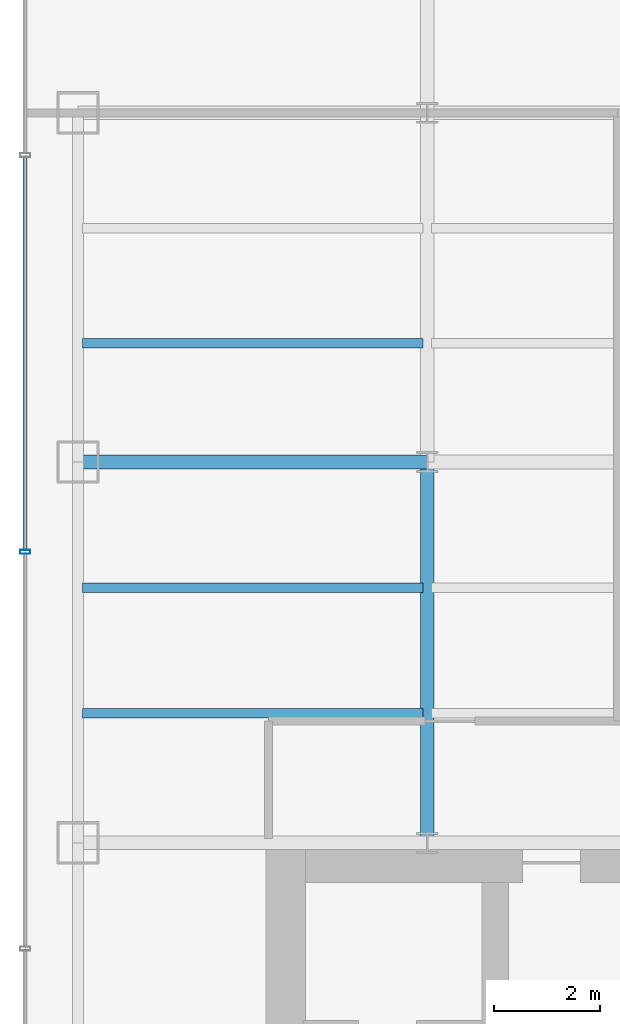
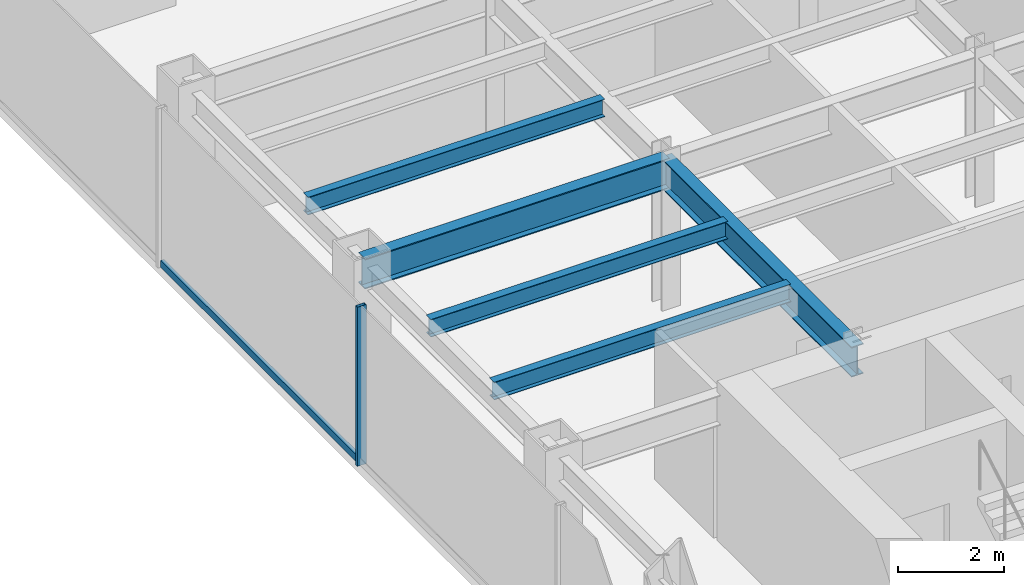
# One storey, part 4 of 26: 5 beams, 2 members, 1 element without a shape of its own.
"""IFC4 building model written with IfcOpenShell, lengths in metres."""

from ifc_helpers import new_model, si_unit, derived_unit, direction, frame, origin, origin_2d, place, context, subcontext, project, spatial, hollow_rectangle, i_section, extrude, source, transform, mapped, material, material_profile, profile_set, type_object, element, aggregate, save


model = new_model("IFC4")

# Units and contexts
model_context = context("Model", 3, precision=1e-05, world=origin(), true_north=direction((0.0, 1.0)))
body_context = subcontext(model_context, "Body", "Model", "MODEL_VIEW")
ifc_project = project(units=[si_unit("LENGTHUNIT", "METRE"), si_unit("AREAUNIT", "SQUARE_METRE"), si_unit("VOLUMEUNIT", "CUBIC_METRE"), si_unit("PLANEANGLEUNIT", "RADIAN"), si_unit("MASSUNIT", "GRAM", prefix="KILO"), derived_unit("THERMALTRANSMITTANCEUNIT", [(si_unit("POWERUNIT", "WATT"), 1), (si_unit("LENGTHUNIT", "METRE"), -2), (si_unit("THERMODYNAMICTEMPERATUREUNIT", "KELVIN"), -1)])], contexts=[model_context])

# Site, building, storey
site_placement = place(None, origin())
site = spatial("IfcSite", under=ifc_project, at=site_placement, CompositionType="ELEMENT")
building_placement = place(site_placement, origin())
building = spatial("IfcBuilding", under=site, at=building_placement, Name="Skarnbrae Concourse Arena and Tower", CompositionType="ELEMENT")
storey_placement = place(building_placement, frame((0.0, 0.0, 128.800048828125)))
storey = spatial("IfcBuildingStorey", under=building, at=storey_placement, Name="L32", CompositionType="ELEMENT", Elevation=128.800048828125)

# Beams
ifc_material_1 = material(Name="Steel CSA G40.21 350W", Category="steel")
ifc_material_profile_1 = material_profile(ifc_material_1, i_section(OverallWidth=0.256103515625, OverallDepth=0.693115234375, WebThickness=0.014404296875, FlangeThickness=0.023681640625, at=origin_2d()), Name="W690X170")
ifc_profile_set_1 = profile_set([ifc_material_profile_1], Name="Steel CSA G40.21 350W")
beam_type_1 = type_object("IfcBeamType", Name="BM-GIRD-W690X170", PredefinedType="BEAM", material=ifc_profile_set_1)
shared_shape_1 = source(origin(), body_context, "Body", "SweptSolid", [
    extrude(i_section(OverallWidth=0.256103515625, OverallDepth=0.693115234375, WebThickness=0.014404296875, FlangeThickness=0.023681640625, at=origin_2d()), origin(), (0.0, 0.0, 1.0), 6.60009765625),
])
beam_1_placement = place(storey_placement, frame((1.0, 21.199951171875, 3.053466796875), z_axis=(1.0, 0.0, 0.0), x_axis=(0.0, 1.0, 0.0)))
element("IfcBeam", 1, at=beam_1_placement, inside=storey, type_object=beam_type_1, Name="L32 Primary E-W girder Y21.2-1", PredefinedType="BEAM", context=body_context, shape_type="MappedRepresentation", body=[
    mapped(shared_shape_1, transform((0.0, 0.0, 0.0))),
])
shared_shape_2 = source(origin(), body_context, "Body", "SweptSolid", [
    extrude(i_section(OverallWidth=0.256103515625, OverallDepth=0.693115234375, WebThickness=0.014404296875, FlangeThickness=0.023681640625, at=origin_2d()), origin(), (0.0, 0.0, 1.0), 7.199951171875),
])
beam_2_placement = place(storey_placement, frame((7.60009765625, 14.0, 3.053466796875), z_axis=(0.0, 1.0, 0.0), x_axis=(-1.0, 0.0, 0.0)))
element("IfcBeam", 2, at=beam_2_placement, inside=storey, type_object=beam_type_1, Name="L32 Primary N-S girder X7.6-1", PredefinedType="BEAM", context=body_context, shape_type="MappedRepresentation", body=[
    mapped(shared_shape_2, transform((0.0, 0.0, 0.0))),
])
ifc_material_profile_2 = material_profile(ifc_material_1, i_section(OverallWidth=0.177978515625, OverallDepth=0.406982421875, WebThickness=0.0078125, FlangeThickness=0.0126953125, at=origin_2d()), Name="W410X60")
ifc_profile_set_2 = profile_set([ifc_material_profile_2], Name="Steel CSA G40.21 350W")
beam_type_2 = type_object("IfcBeamType", Name="BM-JOIST-W410X60", PredefinedType="JOIST", material=ifc_profile_set_2)
shared_shape_3 = source(origin(), body_context, "Body", "SweptSolid", [
    extrude(i_section(OverallWidth=0.177978515625, OverallDepth=0.406982421875, WebThickness=0.0078125, FlangeThickness=0.0126953125, at=origin_2d()), origin(), (0.0, 0.0, 1.0), 6.43994140625),
])
for number, where, z_axis, x_axis, name in (
    (3, (1.080078125, 16.447998046875, 3.196533203125), (1.0, 0.0, 0.0), (0.0, 1.0, 0.0), "L32 Secondary floor joist 1.1.1"),
    (4, (1.080078125, 18.823974609375, 3.196533203125), (1.0, 0.0, 0.0), (0.0, 1.0, 0.0), "L32 Secondary floor joist 1.2.1"),
    (5, (1.080078125, 23.444091796875, 3.196533203125), (1.0, 0.0, 0.0), (0.0, 1.0, 0.0), "L32 Secondary floor joist 2.1.1"),
):
    element("IfcBeam", number, at=place(storey_placement, frame(where, z_axis=z_axis, x_axis=x_axis)), inside=storey, type_object=beam_type_2, Name=name, PredefinedType="JOIST", context=body_context, shape_type="MappedRepresentation", body=[
        mapped(shared_shape_3, transform((0.0, 0.0, 0.0))),
    ])

# Curtain wall, members
ifc_material_2 = material(Name="Bronze anodised aluminium 6063-T6", Category="aluminium")
curtain_wall_type = type_object("IfcCurtainWallType", Name="CW-SYS-04-MIDZONE", PredefinedType="USERDEFINED", material=ifc_material_2)
curtain_wall_placement = place(storey_placement, origin())
curtain_wall = element("IfcCurtainWall", 6, at=curtain_wall_placement, inside=storey, type_object=curtain_wall_type, Name="L32 Unitised curtain wall CW-L32-E19", ObjectType="UNITISED CURTAIN WALL", PredefinedType="USERDEFINED")
ifc_material_profile_3 = material_profile(ifc_material_2, hollow_rectangle(XDim=0.074951171875, YDim=0.159912109375, WallThickness=0.00439453125, at=origin_2d()), Name="ALU-TRAN-75X160")
ifc_profile_set_3 = profile_set([ifc_material_profile_3], Name="Bronze anodised aluminium 6063-T6")
member_type_1 = type_object("IfcMemberType", Name="CWT-CW-04", PredefinedType="USERDEFINED", material=ifc_profile_set_3)
shared_shape_4 = source(origin(), body_context, "Body", "SweptSolid", [
    extrude(hollow_rectangle(XDim=0.074951171875, YDim=0.159912109375, WallThickness=0.00439453125, at=origin_2d()), origin(), (0.0, 0.0, 1.0), 7.4248046875),
])
member_1_placement = place(storey_placement, frame((0.0, 26.96240234375, 0.079833984375), z_axis=(0.0, -1.0, 0.0), x_axis=(1.0, 0.0, 0.0)))
member_1 = element("IfcMember", 7, at=member_1_placement, type_object=member_type_1, Name="CW-L32-E19 Transom 2", ObjectType="TRANSOM", PredefinedType="USERDEFINED", context=body_context, shape_type="MappedRepresentation", body=[
    mapped(shared_shape_4, transform((0.0, 0.0, 0.0))),
])
ifc_material_profile_4 = material_profile(ifc_material_2, hollow_rectangle(XDim=0.074951171875, YDim=0.195068359375, WallThickness=0.00439453125, at=origin_2d()), Name="ALU-MULL-75X195")
ifc_profile_set_4 = profile_set([ifc_material_profile_4], Name="Bronze anodised aluminium 6063-T6")
member_type_2 = type_object("IfcMemberType", Name="CWM-CW-04", PredefinedType="MULLION", material=ifc_profile_set_4)
shared_shape_5 = source(origin(), body_context, "Body", "SweptSolid", [
    extrude(hollow_rectangle(XDim=0.074951171875, YDim=0.195068359375, WallThickness=0.00439453125, at=origin_2d()), origin(), (0.0, 0.0, 1.0), 3.64990234375),
])
member_2_placement = place(storey_placement, frame((0.0, 19.5, 0.0), z_axis=(0.0, 0.0, 1.0), x_axis=(0.0, -1.0, 0.0)))
member_2 = element("IfcMember", 8, at=member_2_placement, type_object=member_type_2, Name="CW-L32-E19 Mullion 3", PredefinedType="MULLION", context=body_context, shape_type="MappedRepresentation", body=[
    mapped(shared_shape_5, transform((0.0, 0.0, 0.0))),
])
aggregate(curtain_wall, [member_2, member_1])

save(model, "model.ifc")
